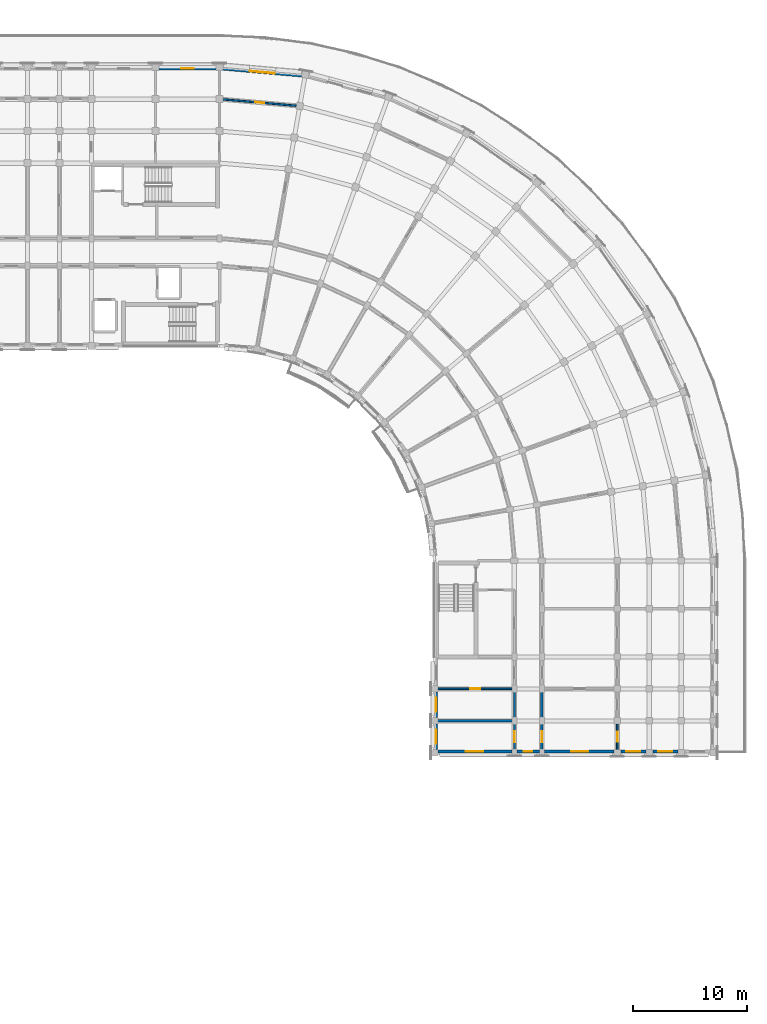
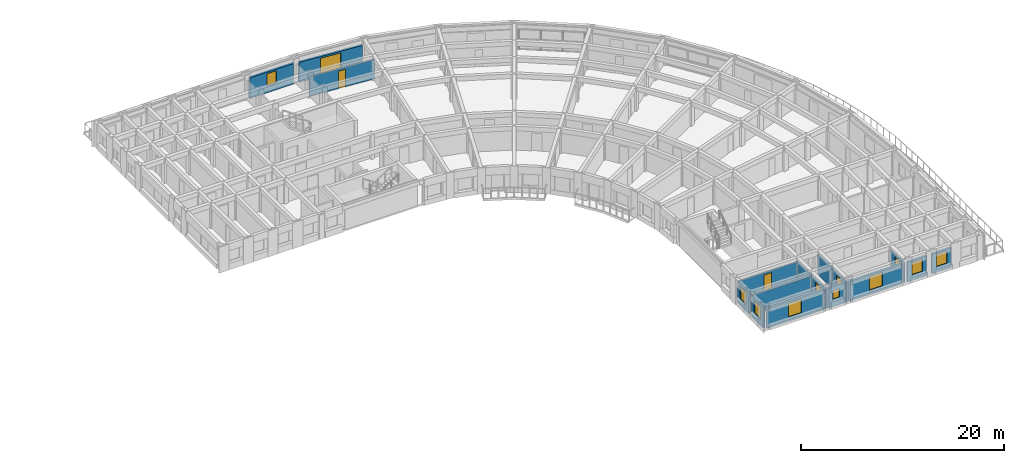
# One storey, part 31 of 53: 17 walls, 9 windows, 5 doors, 14 openings.
"""IFC4 building model written with IfcOpenShell, lengths in metres."""

from ifc_helpers import new_model, si_unit, direction, frame, frame_2d, origin, place, context, subcontext, project, spatial, rectangle, extrude, material, layer, layer_set, type_object, element, fill, save


model = new_model("IFC4")

# Units and contexts
model_context = context("Model", 3, precision=1e-05, world=origin(), true_north=direction((0.0, 1.0)))
body_context = subcontext(model_context, "Body", "Model", "MODEL_VIEW")
ifc_project = project(units=[si_unit("LENGTHUNIT", "METRE"), si_unit("AREAUNIT", "SQUARE_METRE"), si_unit("VOLUMEUNIT", "CUBIC_METRE"), si_unit("PLANEANGLEUNIT", "RADIAN"), si_unit("MASSUNIT", "GRAM", prefix="KILO")], contexts=[model_context])

# Site, building, storey
site_placement = place(None, origin())
site = spatial("IfcSite", under=ifc_project, at=site_placement, CompositionType="ELEMENT")
building_placement = place(site_placement, origin())
building = spatial("IfcBuilding", under=site, at=building_placement, Name="Kiranvali Square Residences", CompositionType="ELEMENT")
storey_placement = place(building_placement, frame((0.0, 0.0, 30.75)))
storey = spatial("IfcBuildingStorey", under=building, at=storey_placement, Name="L09", CompositionType="ELEMENT", Elevation=30.75)

# Walls
ifc_material_1 = material(Name="Autoclaved aerated concrete blockwork masonry", Category="masonry")
ifc_layer_1 = layer(ifc_material_1, 0.199951171875)
ifc_layer_set_1 = layer_set([ifc_layer_1], Name="Autoclaved aerated concrete blockwork masonry")
wall_type_1 = type_object("IfcWallType", Name="WL-COR-200", PredefinedType="STANDARD", material=ifc_layer_set_1)
for number, where, z_axis, x_axis, name in (
    (1, (145.60009765625, 76.60009765625, 0.0), (0.0, 0.0, 1.0), (0.0, -1.0, 0.0), "L09 architectural wall WL-L09-B-A2CI-1"),
    (2, (148.0, 76.60009765625, 0.0), (0.0, 0.0, 1.0), (0.0, -1.0, 0.0), "L09 architectural wall WL-L09-B-A2CO-1"),
):
    element("IfcWall", number, at=place(storey_placement, frame(where, z_axis=z_axis, x_axis=x_axis)), inside=storey, type_object=wall_type_1, Name=name, PredefinedType="STANDARD", context=body_context, shape_type="SweptSolid", body=[
        extrude(rectangle(XDim=2.800048828125, YDim=0.199951171875, at=frame_2d((1.39990234375, 0.0))), origin(), (0.0, 0.0, 1.0), 2.3720703125),
    ])

# Wall, opening, door
wall_1_placement = place(storey_placement, frame((145.60009765625, 73.800048828125, 0.0), z_axis=(0.0, 0.0, 1.0), x_axis=(0.0, -1.0, 0.0)))
wall_1 = element("IfcWall", 3, at=wall_1_placement, inside=storey, type_object=wall_type_1, Name="L09 architectural wall WL-L09-B-A2CI-2", PredefinedType="STANDARD", context=body_context, shape_type="SweptSolid", body=[
    extrude(rectangle(XDim=2.800048828125, YDim=0.199951171875, at=frame_2d((1.39990234375, 0.0))), origin(), (0.0, 0.0, 1.0), 2.3720703125),
])
opening_1_placement = place(wall_1_placement, frame((0.89990234375, 0.0, 0.0)))
opening_1 = element("IfcOpeningElement", 4, at=opening_1_placement, cuts=wall_1, Name="Opening FD-APT-60", PredefinedType="OPENING", context=body_context, shape_type="SweptSolid", body=[
    extrude(rectangle(XDim=1.0, YDim=2.14990234375, at=frame_2d((0.5, 1.074951171875))), frame((0.0, 0.10986328125, 0.0), z_axis=(0.0, -1.0, 0.0), x_axis=(1.0, 0.0, 0.0)), (0.0, 0.0, 1.0), 0.219970703125),
])
ifc_material_2 = material(Name="Fire-rated acoustic hardwood and mineral-core door assembly", Category="wood")
door_type_1 = type_object("IfcDoorType", Name="DR-APT-1000", OperationType="NOTDEFINED", PredefinedType="DOOR", material=ifc_material_2)
door_1_placement = place(opening_1_placement, frame((1.0, 0.0, 0.0), z_axis=(0.0, 0.0, 1.0), x_axis=(-1.0, 0.0, 0.0)))
door_1 = element("IfcDoor", 5, at=door_1_placement, inside=storey, type_object=door_type_1, Name="L09 door DR-L09-1574 (DR-APT-1000)", OperationType="SINGLE_SWING_RIGHT", OverallHeight=2.14990234375, OverallWidth=1.0, PredefinedType="DOOR", context=body_context, shape_type="SweptSolid", body=[
    extrude(rectangle(XDim=1.0, YDim=2.14990234375, at=frame_2d((0.5, 1.074951171875))), frame((0.0, 0.02490234375, 0.0), z_axis=(0.0, -1.0, 0.0), x_axis=(1.0, 0.0, 0.0)), (0.0, 0.0, 1.0), 0.050048828125),
])
fill(opening_1, door_1)

wall_2_placement = place(storey_placement, frame((148.0, 73.800048828125, 0.0), z_axis=(0.0, 0.0, 1.0), x_axis=(0.0, -1.0, 0.0)))
wall_2 = element("IfcWall", 6, at=wall_2_placement, inside=storey, type_object=wall_type_1, Name="L09 architectural wall WL-L09-B-A2CO-2", PredefinedType="STANDARD", context=body_context, shape_type="SweptSolid", body=[
    extrude(rectangle(XDim=2.800048828125, YDim=0.199951171875, at=frame_2d((1.39990234375, 0.0))), origin(), (0.0, 0.0, 1.0), 2.3720703125),
])
opening_2_placement = place(wall_2_placement, frame((0.89990234375, 0.0, 0.0)))
opening_2 = element("IfcOpeningElement", 7, at=opening_2_placement, cuts=wall_2, Name="Opening FD-APT-60", PredefinedType="OPENING", context=body_context, shape_type="SweptSolid", body=[
    extrude(rectangle(XDim=1.0, YDim=2.14990234375, at=frame_2d((0.5, 1.074951171875))), frame((0.0, 0.10986328125, 0.0), z_axis=(0.0, -1.0, 0.0), x_axis=(1.0, 0.0, 0.0)), (0.0, 0.0, 1.0), 0.219970703125),
])
door_2_placement = place(opening_2_placement, frame((1.0, 0.0, 0.0), z_axis=(0.0, 0.0, 1.0), x_axis=(-1.0, 0.0, 0.0)))
door_2 = element("IfcDoor", 8, at=door_2_placement, inside=storey, type_object=door_type_1, Name="L09 door DR-L09-1576 (DR-APT-1000)", OperationType="SINGLE_SWING_RIGHT", OverallHeight=2.14990234375, OverallWidth=1.0, PredefinedType="DOOR", context=body_context, shape_type="SweptSolid", body=[
    extrude(rectangle(XDim=1.0, YDim=2.14990234375, at=frame_2d((0.5, 1.074951171875))), frame((0.0, 0.02490234375, 0.0), z_axis=(0.0, -1.0, 0.0), x_axis=(1.0, 0.0, 0.0)), (0.0, 0.0, 1.0), 0.050048828125),
])
fill(opening_2, door_2)

# Wall
ifc_layer_2 = layer(ifc_material_1, 0.219970703125)
ifc_layer_set_2 = layer_set([ifc_layer_2], Name="Autoclaved aerated concrete blockwork masonry")
wall_type_2 = type_object("IfcWallType", Name="WL-DEM-220", PredefinedType="STANDARD", material=ifc_layer_set_2)
wall_3_placement = place(storey_placement, frame((138.800048828125, 73.800048828125, 0.0), z_axis=(0.0, 0.0, 1.0), x_axis=(1.0, 0.0, 0.0)))
element("IfcWall", 9, at=wall_3_placement, inside=storey, type_object=wall_type_2, Name="L09 architectural wall WL-L09-B-A2TI-2", PredefinedType="STANDARD", context=body_context, shape_type="SweptSolid", body=[
    extrude(rectangle(XDim=6.75, YDim=0.219970703125, at=frame_2d((3.375, 0.0))), origin(), (0.0, 0.0, 1.0), 2.3720703125),
])

# Wall, opening, window
ifc_material_3 = material(Name="Breathable lime-rendered clay brick masonry", Category="masonry")
ifc_layer_3 = layer(ifc_material_3, 0.25)
ifc_layer_set_3 = layer_set([ifc_layer_3], Name="Breathable lime-rendered clay brick masonry")
wall_type_3 = type_object("IfcWallType", Name="WL-EXT-250", PredefinedType="STANDARD", material=ifc_layer_set_3)
wall_4_placement = place(storey_placement, frame((120.113525390625, 130.84716796875, 0.0), z_axis=(0.0, 0.0, 1.0), x_axis=(0.996193833065, -0.087165629485, 0.0)))
wall_4 = element("IfcWall", 10, at=wall_4_placement, inside=storey, type_object=wall_type_3, Name="L09 exterior wall B-L09-CRV-00", PredefinedType="STANDARD", context=body_context, shape_type="SweptSolid", body=[
    extrude(rectangle(XDim=6.87890625, YDim=0.25, at=frame_2d((3.439453125, 0.0))), origin(), (0.0, 0.0, 1.0), 2.412109375),
])
opening_3_placement = place(wall_4_placement, frame((2.339599609375, 0.0, 0.31201171875)))
opening_3 = element("IfcOpeningElement", 11, at=opening_3_placement, cuts=wall_4, Name="Opening W-20", PredefinedType="OPENING", context=body_context, shape_type="SweptSolid", body=[
    extrude(rectangle(XDim=2.199951171875, YDim=1.89990234375, at=frame_2d((1.10009765625, 0.949951171875))), frame((0.0, 0.135009765625, 0.0), z_axis=(0.0, -1.0, 0.0), x_axis=(1.0, 0.0, 0.0)), (0.0, 0.0, 1.0), 0.27001953125),
])
ifc_material_4 = material(Name="Solar-control low-e double glazing", Category="glass")
window_type_1 = type_object("IfcWindowType", Name="WIN-TER-2200x1900", PartitioningType="TRIPLE_PANEL_VERTICAL", PredefinedType="WINDOW", material=ifc_material_4)
window_1_placement = place(opening_3_placement, origin())
window_1 = element("IfcWindow", 12, at=window_1_placement, inside=storey, type_object=window_type_1, Name="L09 recessed window B-L09-CRV-00", OverallHeight=1.89990234375, OverallWidth=2.199951171875, PartitioningType="TRIPLE_PANEL_VERTICAL", PredefinedType="WINDOW", context=body_context, shape_type="SweptSolid", body=[
    extrude(rectangle(XDim=2.199951171875, YDim=1.89990234375, at=frame_2d((1.10009765625, 0.949951171875))), frame((0.0, 0.030029296875, 0.0), z_axis=(0.0, -1.0, 0.0), x_axis=(1.0, 0.0, 0.0)), (0.0, 0.0, 1.0), 0.06005859375),
])
fill(opening_3, window_1)

wall_5_placement = place(storey_placement, frame((119.49658203125, 130.875, 0.0), z_axis=(0.0, 0.0, 1.0), x_axis=(-1.0, 0.0, 0.0)))
wall_5 = element("IfcWall", 13, at=wall_5_placement, inside=storey, type_object=wall_type_3, Name="L09 exterior wall B-L09-A1O-0", PredefinedType="STANDARD", context=body_context, shape_type="SweptSolid", body=[
    extrude(rectangle(XDim=4.9931640625, YDim=0.25, at=frame_2d((2.49658203125, 0.0))), origin(), (0.0, 0.0, 1.0), 2.47998046875),
])
opening_4_placement = place(wall_5_placement, frame((1.946533203125, 0.0, 0.830078125)))
opening_4 = element("IfcOpeningElement", 14, at=opening_4_placement, cuts=wall_5, Name="Opening W-15", PredefinedType="OPENING", context=body_context, shape_type="SweptSolid", body=[
    extrude(rectangle(XDim=1.10009765625, YDim=1.449951171875, at=frame_2d((0.550048828125, 0.72509765625))), frame((0.0, 0.135009765625, 0.0), z_axis=(0.0, -1.0, 0.0), x_axis=(1.0, 0.0, 0.0)), (0.0, 0.0, 1.0), 0.27001953125),
])
window_type_2 = type_object("IfcWindowType", Name="WIN-RES-1100x1450", PartitioningType="SINGLE_PANEL", PredefinedType="WINDOW", material=ifc_material_4)
window_2_placement = place(opening_4_placement, origin())
window_2 = element("IfcWindow", 15, at=window_2_placement, inside=storey, type_object=window_type_2, Name="L09 recessed window B-L09-A1O-0", OverallHeight=1.449951171875, OverallWidth=1.10009765625, PartitioningType="SINGLE_PANEL", PredefinedType="WINDOW", context=body_context, shape_type="SweptSolid", body=[
    extrude(rectangle(XDim=1.10009765625, YDim=1.449951171875, at=frame_2d((0.550048828125, 0.72509765625))), frame((0.0, 0.030029296875, 0.0), z_axis=(0.0, -1.0, 0.0), x_axis=(1.0, 0.0, 0.0)), (0.0, 0.0, 1.0), 0.06005859375),
])
fill(opening_4, window_2)

wall_6_placement = place(storey_placement, frame((138.72509765625, 76.29638671875, 0.0), z_axis=(0.0, 0.0, 1.0), x_axis=(0.0, -1.0, 0.0)))
wall_6 = element("IfcWall", 16, at=wall_6_placement, inside=storey, type_object=wall_type_3, Name="L09 exterior wall B-L09-A2I-1", PredefinedType="STANDARD", context=body_context, shape_type="SweptSolid", body=[
    extrude(rectangle(XDim=2.19287109375, YDim=0.25, at=frame_2d((1.096435546875, 0.0))), origin(), (0.0, 0.0, 1.0), 2.471923828125),
])
opening_5_placement = place(wall_6_placement, frame((0.49658203125, 0.0, 0.77197265625)))
opening_5 = element("IfcOpeningElement", 17, at=opening_5_placement, cuts=wall_6, Name="Opening W-06", PredefinedType="OPENING", context=body_context, shape_type="SweptSolid", body=[
    extrude(rectangle(XDim=1.199951171875, YDim=1.5, at=frame_2d((0.60009765625, 0.75))), frame((0.0, 0.135009765625, 0.0), z_axis=(0.0, -1.0, 0.0), x_axis=(1.0, 0.0, 0.0)), (0.0, 0.0, 1.0), 0.27001953125),
])
window_type_3 = type_object("IfcWindowType", Name="WIN-RES-1200x1500", PartitioningType="SINGLE_PANEL", PredefinedType="WINDOW", material=ifc_material_4)
window_3_placement = place(opening_5_placement, origin())
window_3 = element("IfcWindow", 18, at=window_3_placement, inside=storey, type_object=window_type_3, Name="L09 recessed window B-L09-A2I-1", OverallHeight=1.5, OverallWidth=1.199951171875, PartitioningType="SINGLE_PANEL", PredefinedType="WINDOW", context=body_context, shape_type="SweptSolid", body=[
    extrude(rectangle(XDim=1.199951171875, YDim=1.5, at=frame_2d((0.60009765625, 0.75))), frame((0.0, 0.030029296875, 0.0), z_axis=(0.0, -1.0, 0.0), x_axis=(1.0, 0.0, 0.0)), (0.0, 0.0, 1.0), 0.06005859375),
])
fill(opening_5, window_3)

wall_7_placement = place(storey_placement, frame((138.72509765625, 73.49658203125, 0.0), z_axis=(0.0, 0.0, 1.0), x_axis=(0.0, -1.0, 0.0)))
wall_7 = element("IfcWall", 19, at=wall_7_placement, inside=storey, type_object=wall_type_3, Name="L09 exterior wall B-L09-A2I-2", PredefinedType="STANDARD", context=body_context, shape_type="SweptSolid", body=[
    extrude(rectangle(XDim=2.193115234375, YDim=0.25, at=frame_2d((1.0966796875, 0.0))), origin(), (0.0, 0.0, 1.0), 2.471923828125),
])
opening_6_placement = place(wall_7_placement, frame((0.49658203125, 0.0, 0.77197265625)))
opening_6 = element("IfcOpeningElement", 20, at=opening_6_placement, cuts=wall_7, Name="Opening W-06", PredefinedType="OPENING", context=body_context, shape_type="SweptSolid", body=[
    extrude(rectangle(XDim=1.199951171875, YDim=1.5, at=frame_2d((0.60009765625, 0.75))), frame((0.0, 0.135009765625, 0.0), z_axis=(0.0, -1.0, 0.0), x_axis=(1.0, 0.0, 0.0)), (0.0, 0.0, 1.0), 0.27001953125),
])
window_4_placement = place(opening_6_placement, origin())
window_4 = element("IfcWindow", 21, at=window_4_placement, inside=storey, type_object=window_type_3, Name="L09 recessed window B-L09-A2I-2", OverallHeight=1.5, OverallWidth=1.199951171875, PartitioningType="SINGLE_PANEL", PredefinedType="WINDOW", context=body_context, shape_type="SweptSolid", body=[
    extrude(rectangle(XDim=1.199951171875, YDim=1.5, at=frame_2d((0.60009765625, 0.75))), frame((0.0, 0.030029296875, 0.0), z_axis=(0.0, -1.0, 0.0), x_axis=(1.0, 0.0, 0.0)), (0.0, 0.0, 1.0), 0.06005859375),
])
fill(opening_6, window_4)

wall_8_placement = place(storey_placement, frame((138.903564453125, 71.125, 0.0), z_axis=(0.0, 0.0, 1.0), x_axis=(1.0, 0.0, 0.0)))
wall_8 = element("IfcWall", 22, at=wall_8_placement, inside=storey, type_object=wall_type_3, Name="L09 exterior wall B-L09-A2END-0", PredefinedType="STANDARD", context=body_context, shape_type="SweptSolid", body=[
    extrude(rectangle(XDim=6.468017578125, YDim=0.25, at=frame_2d((3.23388671875, 0.0))), origin(), (0.0, 0.0, 1.0), 2.3720703125),
])
opening_7_placement = place(wall_8_placement, frame((2.446533203125, 0.0, 0.52197265625)))
opening_7 = element("IfcOpeningElement", 23, at=opening_7_placement, cuts=wall_8, Name="Opening W-05", PredefinedType="OPENING", context=body_context, shape_type="SweptSolid", body=[
    extrude(rectangle(XDim=1.5, YDim=1.64990234375, at=frame_2d((0.75, 0.824951171875))), frame((0.0, 0.135009765625, 0.0), z_axis=(0.0, -1.0, 0.0), x_axis=(1.0, 0.0, 0.0)), (0.0, 0.0, 1.0), 0.27001953125),
])
window_type_4 = type_object("IfcWindowType", Name="WIN-RES-1500x1650", PartitioningType="DOUBLE_PANEL_VERTICAL", PredefinedType="WINDOW", material=ifc_material_4)
window_5_placement = place(opening_7_placement, origin())
window_5 = element("IfcWindow", 24, at=window_5_placement, inside=storey, type_object=window_type_4, Name="L09 recessed window B-L09-A2END-0", OverallHeight=1.64990234375, OverallWidth=1.5, PartitioningType="DOUBLE_PANEL_VERTICAL", PredefinedType="WINDOW", context=body_context, shape_type="SweptSolid", body=[
    extrude(rectangle(XDim=1.5, YDim=1.64990234375, at=frame_2d((0.75, 0.824951171875))), frame((0.0, 0.030029296875, 0.0), z_axis=(0.0, -1.0, 0.0), x_axis=(1.0, 0.0, 0.0)), (0.0, 0.0, 1.0), 0.06005859375),
])
fill(opening_7, window_5)

wall_9_placement = place(storey_placement, frame((145.82861328125, 71.125, 0.0), z_axis=(0.0, 0.0, 1.0), x_axis=(1.0, 0.0, 0.0)))
wall_9 = element("IfcWall", 25, at=wall_9_placement, inside=storey, type_object=wall_type_3, Name="L09 exterior wall B-L09-A2END-1", PredefinedType="STANDARD", context=body_context, shape_type="SweptSolid", body=[
    extrude(rectangle(XDim=1.94287109375, YDim=0.25, at=frame_2d((0.971435546875, 0.0))), origin(), (0.0, 0.0, 1.0), 2.3720703125),
])
opening_8_placement = place(wall_9_placement, frame((0.596435546875, 0.0, 0.8798828125)))
opening_8 = element("IfcOpeningElement", 26, at=opening_8_placement, cuts=wall_9, Name="Opening W-07", PredefinedType="OPENING", context=body_context, shape_type="SweptSolid", body=[
    extrude(rectangle(XDim=0.75, YDim=1.050048828125, at=frame_2d((0.375, 0.52490234375))), frame((0.0, 0.135009765625, 0.0), z_axis=(0.0, -1.0, 0.0), x_axis=(1.0, 0.0, 0.0)), (0.0, 0.0, 1.0), 0.27001953125),
])
window_type_5 = type_object("IfcWindowType", Name="WIN-WET-750x1050", PartitioningType="SINGLE_PANEL", PredefinedType="WINDOW", material=ifc_material_4)
window_6_placement = place(opening_8_placement, origin())
window_6 = element("IfcWindow", 27, at=window_6_placement, inside=storey, type_object=window_type_5, Name="L09 recessed window B-L09-A2END-1", OverallHeight=1.050048828125, OverallWidth=0.75, PartitioningType="SINGLE_PANEL", PredefinedType="WINDOW", context=body_context, shape_type="SweptSolid", body=[
    extrude(rectangle(XDim=0.75, YDim=1.050048828125, at=frame_2d((0.375, 0.52490234375))), frame((0.0, 0.030029296875, 0.0), z_axis=(0.0, -1.0, 0.0), x_axis=(1.0, 0.0, 0.0)), (0.0, 0.0, 1.0), 0.06005859375),
])
fill(opening_8, window_6)

wall_10_placement = place(storey_placement, frame((148.228515625, 71.125, 0.0), z_axis=(0.0, 0.0, 1.0), x_axis=(1.0, 0.0, 0.0)))
wall_10 = element("IfcWall", 28, at=wall_10_placement, inside=storey, type_object=wall_type_3, Name="L09 exterior wall B-L09-A2END-2", PredefinedType="STANDARD", context=body_context, shape_type="SweptSolid", body=[
    extrude(rectangle(XDim=6.06787109375, YDim=0.25, at=frame_2d((3.033935546875, 0.0))), origin(), (0.0, 0.0, 1.0), 2.3720703125),
])
opening_9_placement = place(wall_10_placement, frame((2.321533203125, 0.0, 0.52197265625)))
opening_9 = element("IfcOpeningElement", 29, at=opening_9_placement, cuts=wall_10, Name="Opening W-05", PredefinedType="OPENING", context=body_context, shape_type="SweptSolid", body=[
    extrude(rectangle(XDim=1.5, YDim=1.64990234375, at=frame_2d((0.75, 0.824951171875))), frame((0.0, 0.135009765625, 0.0), z_axis=(0.0, -1.0, 0.0), x_axis=(1.0, 0.0, 0.0)), (0.0, 0.0, 1.0), 0.27001953125),
])
window_7_placement = place(opening_9_placement, origin())
window_7 = element("IfcWindow", 30, at=window_7_placement, inside=storey, type_object=window_type_4, Name="L09 recessed window B-L09-A2END-2", OverallHeight=1.64990234375, OverallWidth=1.5, PartitioningType="DOUBLE_PANEL_VERTICAL", PredefinedType="WINDOW", context=body_context, shape_type="SweptSolid", body=[
    extrude(rectangle(XDim=1.5, YDim=1.64990234375, at=frame_2d((0.75, 0.824951171875))), frame((0.0, 0.030029296875, 0.0), z_axis=(0.0, -1.0, 0.0), x_axis=(1.0, 0.0, 0.0)), (0.0, 0.0, 1.0), 0.06005859375),
])
fill(opening_9, window_7)

wall_11_placement = place(storey_placement, frame((154.903564453125, 71.125, 0.0), z_axis=(0.0, 0.0, 1.0), x_axis=(1.0, 0.0, 0.0)))
wall_11 = element("IfcWall", 31, at=wall_11_placement, inside=storey, type_object=wall_type_3, Name="L09 exterior wall B-L09-A2END-3", PredefinedType="STANDARD", context=body_context, shape_type="SweptSolid", body=[
    extrude(rectangle(XDim=2.19287109375, YDim=0.25, at=frame_2d((1.096435546875, 0.0))), origin(), (0.0, 0.0, 1.0), 2.3720703125),
])
opening_10_placement = place(wall_11_placement, frame((0.49658203125, 0.0, 0.672119140625)))
opening_10 = element("IfcOpeningElement", 32, at=opening_10_placement, cuts=wall_11, Name="Opening W-06", PredefinedType="OPENING", context=body_context, shape_type="SweptSolid", body=[
    extrude(rectangle(XDim=1.199951171875, YDim=1.5, at=frame_2d((0.60009765625, 0.75))), frame((0.0, 0.135009765625, 0.0), z_axis=(0.0, -1.0, 0.0), x_axis=(1.0, 0.0, 0.0)), (0.0, 0.0, 1.0), 0.27001953125),
])
window_8_placement = place(opening_10_placement, origin())
window_8 = element("IfcWindow", 33, at=window_8_placement, inside=storey, type_object=window_type_3, Name="L09 recessed window B-L09-A2END-3", OverallHeight=1.5, OverallWidth=1.199951171875, PartitioningType="SINGLE_PANEL", PredefinedType="WINDOW", context=body_context, shape_type="SweptSolid", body=[
    extrude(rectangle(XDim=1.199951171875, YDim=1.5, at=frame_2d((0.60009765625, 0.75))), frame((0.0, 0.030029296875, 0.0), z_axis=(0.0, -1.0, 0.0), x_axis=(1.0, 0.0, 0.0)), (0.0, 0.0, 1.0), 0.06005859375),
])
fill(opening_10, window_8)

wall_12_placement = place(storey_placement, frame((157.70361328125, 71.125, 0.0), z_axis=(0.0, 0.0, 1.0), x_axis=(1.0, 0.0, 0.0)))
wall_12 = element("IfcWall", 34, at=wall_12_placement, inside=storey, type_object=wall_type_3, Name="L09 exterior wall B-L09-A2END-4", PredefinedType="STANDARD", context=body_context, shape_type="SweptSolid", body=[
    extrude(rectangle(XDim=2.19287109375, YDim=0.25, at=frame_2d((1.096435546875, 0.0))), origin(), (0.0, 0.0, 1.0), 2.3720703125),
])
opening_11_placement = place(wall_12_placement, frame((0.49658203125, 0.0, 0.672119140625)))
opening_11 = element("IfcOpeningElement", 35, at=opening_11_placement, cuts=wall_12, Name="Opening W-06", PredefinedType="OPENING", context=body_context, shape_type="SweptSolid", body=[
    extrude(rectangle(XDim=1.199951171875, YDim=1.5, at=frame_2d((0.60009765625, 0.75))), frame((0.0, 0.135009765625, 0.0), z_axis=(0.0, -1.0, 0.0), x_axis=(1.0, 0.0, 0.0)), (0.0, 0.0, 1.0), 0.27001953125),
])
window_9_placement = place(opening_11_placement, origin())
window_9 = element("IfcWindow", 36, at=window_9_placement, inside=storey, type_object=window_type_3, Name="L09 recessed window B-L09-A2END-4", OverallHeight=1.5, OverallWidth=1.199951171875, PartitioningType="SINGLE_PANEL", PredefinedType="WINDOW", context=body_context, shape_type="SweptSolid", body=[
    extrude(rectangle(XDim=1.199951171875, YDim=1.5, at=frame_2d((0.60009765625, 0.75))), frame((0.0, 0.030029296875, 0.0), z_axis=(0.0, -1.0, 0.0), x_axis=(1.0, 0.0, 0.0)), (0.0, 0.0, 1.0), 0.06005859375),
])
fill(opening_11, window_9)

# Wall, opening, door
ifc_material_5 = material(Name="Acoustic gypsum board drylined partition", Category="gypsum")
ifc_layer_4 = layer(ifc_material_5, 0.14990234375)
ifc_layer_set_4 = layer_set([ifc_layer_4], Name="Acoustic gypsum board drylined partition")
wall_type_4 = type_object("IfcWallType", Name="WL-PRT-150", PredefinedType="PARTITIONING", material=ifc_layer_set_4)
wall_13_placement = place(storey_placement, frame((138.800048828125, 76.60009765625, 0.0), z_axis=(0.0, 0.0, 1.0), x_axis=(1.0, 0.0, 0.0)))
wall_13 = element("IfcWall", 37, at=wall_13_placement, inside=storey, type_object=wall_type_4, Name="L09 architectural wall WL-L09-B-A2TI-1", PredefinedType="PARTITIONING", context=body_context, shape_type="SweptSolid", body=[
    extrude(rectangle(XDim=6.75, YDim=0.14990234375, at=frame_2d((3.375, 0.0))), origin(), (0.0, 0.0, 1.0), 2.3720703125),
])
opening_12_placement = place(wall_13_placement, frame((2.925048828125, 0.0, 0.0)))
opening_12 = element("IfcOpeningElement", 38, at=opening_12_placement, cuts=wall_13, Name="Opening ID-1", PredefinedType="OPENING", context=body_context, shape_type="SweptSolid", body=[
    extrude(rectangle(XDim=0.89990234375, YDim=2.10009765625, at=frame_2d((0.449951171875, 1.050048828125))), frame((0.0, 0.0849609375, 0.0), z_axis=(0.0, -1.0, 0.0), x_axis=(1.0, 0.0, 0.0)), (0.0, 0.0, 1.0), 0.169921875),
])
ifc_material_6 = material(Name="Solid seasoned teak hardwood joinery", Category="wood")
door_type_2 = type_object("IfcDoorType", Name="DR-INT-900", OperationType="NOTDEFINED", PredefinedType="DOOR", material=ifc_material_6)
door_3_placement = place(opening_12_placement, frame((0.89990234375, 0.0, 0.0), z_axis=(0.0, 0.0, 1.0), x_axis=(-1.0, 0.0, 0.0)))
door_3 = element("IfcDoor", 39, at=door_3_placement, inside=storey, type_object=door_type_2, Name="L09 door DR-L09-1572 (DR-INT-900)", OperationType="SINGLE_SWING_RIGHT", OverallHeight=2.10009765625, OverallWidth=0.89990234375, PredefinedType="DOOR", context=body_context, shape_type="SweptSolid", body=[
    extrude(rectangle(XDim=0.89990234375, YDim=2.10009765625, at=frame_2d((0.449951171875, 1.050048828125))), frame((0.0, 0.02490234375, 0.0), z_axis=(0.0, -1.0, 0.0), x_axis=(1.0, 0.0, 0.0)), (0.0, 0.0, 1.0), 0.050048828125),
])
fill(opening_12, door_3)

ifc_layer_5 = layer(ifc_material_1, 0.14990234375)
ifc_layer_set_5 = layer_set([ifc_layer_5], Name="Autoclaved aerated concrete blockwork masonry")
wall_type_5 = type_object("IfcWallType", Name="WL-WET-150", PredefinedType="PLUMBINGWALL", material=ifc_layer_set_5)
wall_14_placement = place(storey_placement, frame((119.800048828125, 128.199951171875, 0.0), z_axis=(0.0, 0.0, 1.0), x_axis=(0.996194658198, -0.087156198737, 0.0)))
wall_14 = element("IfcWall", 40, at=wall_14_placement, inside=storey, type_object=wall_type_5, Name="L09 architectural wall WL-L09-B-CWET-0", PredefinedType="PLUMBINGWALL", context=body_context, shape_type="SweptSolid", body=[
    extrude(rectangle(XDim=7.042236328125, YDim=0.14990234375, at=frame_2d((3.52099609375, 0.0))), origin(), (0.0, 0.0, 1.0), 2.3720703125),
])
opening_13_placement = place(wall_14_placement, frame((3.12109375, 0.0, 0.0)))
opening_13 = element("IfcOpeningElement", 41, at=opening_13_placement, cuts=wall_14, Name="Opening ID-WET", PredefinedType="OPENING", context=body_context, shape_type="SweptSolid", body=[
    extrude(rectangle(XDim=0.800048828125, YDim=2.10009765625, at=frame_2d((0.39990234375, 1.050048828125))), frame((0.0, 0.0849609375, 0.0), z_axis=(0.0, -1.0, 0.0), x_axis=(1.0, 0.0, 0.0)), (0.0, 0.0, 1.0), 0.169921875),
])
door_type_3 = type_object("IfcDoorType", Name="DR-WET-800", OperationType="NOTDEFINED", PredefinedType="DOOR", material=ifc_material_6)
door_4_placement = place(opening_13_placement, frame((0.800048828125, 0.0, 0.0), z_axis=(0.0, 0.0, 1.0), x_axis=(-1.0, 0.0, 0.0)))
door_4 = element("IfcDoor", 42, at=door_4_placement, inside=storey, type_object=door_type_3, Name="L09 door DR-L09-1552 (DR-WET-800)", OperationType="SINGLE_SWING_RIGHT", OverallHeight=2.10009765625, OverallWidth=0.800048828125, PredefinedType="DOOR", context=body_context, shape_type="SweptSolid", body=[
    extrude(rectangle(XDim=0.800048828125, YDim=2.10009765625, at=frame_2d((0.39990234375, 1.050048828125))), frame((0.0, 0.02490234375, 0.0), z_axis=(0.0, -1.0, 0.0), x_axis=(1.0, 0.0, 0.0)), (0.0, 0.0, 1.0), 0.050048828125),
])
fill(opening_13, door_4)

wall_15_placement = place(storey_placement, frame((154.60009765625, 73.719970703125, 0.0), z_axis=(0.0, 0.0, 1.0), x_axis=(0.0, -1.0, 0.0)))
wall_15 = element("IfcWall", 43, at=wall_15_placement, inside=storey, type_object=wall_type_5, Name="L09 architectural wall WL-L09-B-A2SP-2", PredefinedType="PLUMBINGWALL", context=body_context, shape_type="SweptSolid", body=[
    extrude(rectangle(XDim=2.639892578125, YDim=0.14990234375, at=frame_2d((1.31982421875, 0.0))), origin(), (0.0, 0.0, 1.0), 2.3720703125),
])
opening_14_placement = place(wall_15_placement, frame((0.8701171875, 0.0, 0.0)))
opening_14 = element("IfcOpeningElement", 44, at=opening_14_placement, cuts=wall_15, Name="Opening ID-1", PredefinedType="OPENING", context=body_context, shape_type="SweptSolid", body=[
    extrude(rectangle(XDim=0.89990234375, YDim=2.10009765625, at=frame_2d((0.449951171875, 1.050048828125))), frame((0.0, 0.0849609375, 0.0), z_axis=(0.0, -1.0, 0.0), x_axis=(1.0, 0.0, 0.0)), (0.0, 0.0, 1.0), 0.169921875),
])
door_5_placement = place(opening_14_placement, origin())
door_5 = element("IfcDoor", 45, at=door_5_placement, inside=storey, type_object=door_type_2, Name="L09 door DR-L09-1575 (DR-INT-900)", OperationType="SINGLE_SWING_LEFT", OverallHeight=2.10009765625, OverallWidth=0.89990234375, PredefinedType="DOOR", context=body_context, shape_type="SweptSolid", body=[
    extrude(rectangle(XDim=0.89990234375, YDim=2.10009765625, at=frame_2d((0.449951171875, 1.050048828125))), frame((0.0, 0.02490234375, 0.0), z_axis=(0.0, -1.0, 0.0), x_axis=(1.0, 0.0, 0.0)), (0.0, 0.0, 1.0), 0.050048828125),
])
fill(opening_14, door_5)

save(model, "model.ifc")
